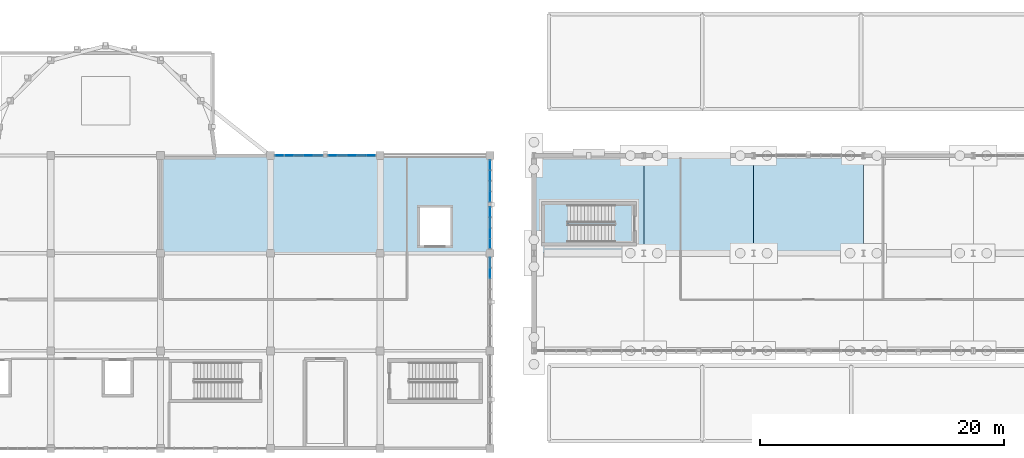
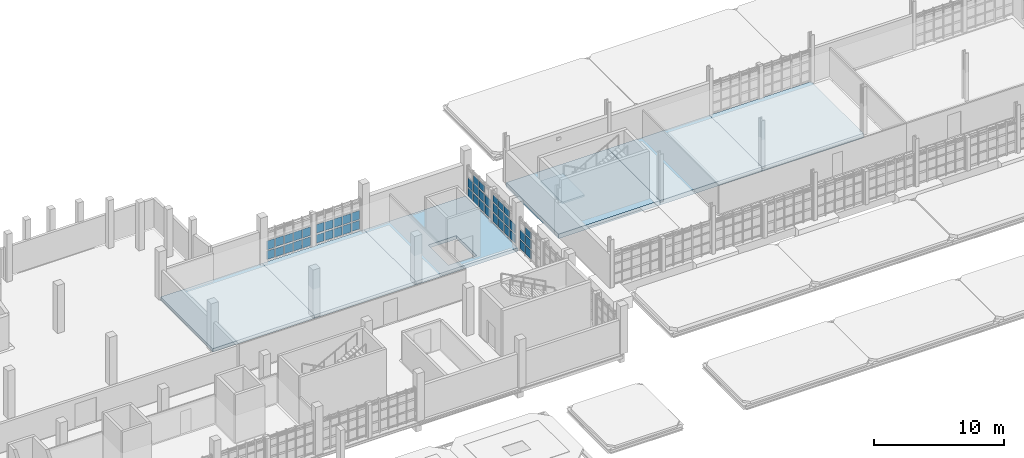
# One storey, part 86 of 125: 46 plates, 7 slabs, 6 elements without a shape of their own.
"""IFC4 building model written with IfcOpenShell, lengths in metres."""

from ifc_helpers import new_model, si_unit, direction, frame, origin, origin_2d, place, context, subcontext, project, spatial, polyline, rectangle, outline, extrude, material, layer, layer_set, type_object, element, aggregate, save


model = new_model("IFC4")

# Units and contexts
model_context = context("Model", 3, precision=1e-05, world=origin(), true_north=direction((0.0, 1.0)))
body_context = subcontext(model_context, "Body", "Model", "MODEL_VIEW")
ifc_project = project(units=[si_unit("LENGTHUNIT", "METRE"), si_unit("AREAUNIT", "SQUARE_METRE"), si_unit("VOLUMEUNIT", "CUBIC_METRE"), si_unit("PLANEANGLEUNIT", "RADIAN"), si_unit("MASSUNIT", "GRAM", prefix="KILO")], contexts=[model_context])

# Site, building, storey
site_placement = place(None, origin())
site = spatial("IfcSite", under=ifc_project, at=site_placement, CompositionType="ELEMENT")
building_placement = place(site_placement, origin())
building = spatial("IfcBuilding", under=site, at=building_placement, Name="Serraforn Aerial Cableway Station", CompositionType="ELEMENT")
storey_placement = place(building_placement, frame((0.0, 0.0, 4.5)))
storey = spatial("IfcBuildingStorey", under=building, at=storey_placement, Name="L01", CompositionType="ELEMENT", Elevation=4.5)

# Curtain wall, plate
ifc_material_1 = material(Name="Anodised bronze unitised curtain wall")
curtain_wall_type_1 = type_object("IfcCurtainWallType", Name="CW-SYS-27", PredefinedType="USERDEFINED", material=ifc_material_1)
curtain_wall_1_placement = place(storey_placement, origin())
curtain_wall_1 = element("IfcCurtainWall", 1, at=curtain_wall_1_placement, inside=storey, type_object=curtain_wall_type_1, Name="Unitised Curtain Wall CW-CV-L01-N6A", ObjectType="UNITISED CURTAIN WALL", PredefinedType="USERDEFINED")
ifc_material_2 = material(Name="Solar-control low-E double glazing", Category="glass")
ifc_layer_1 = layer(ifc_material_2, 0.02587890625)
ifc_layer_set_1 = layer_set([ifc_layer_1], Name="Solar-control low-E double glazing")
plate_type_1 = type_object("IfcPlateType", Name="CW-GLZ-1", PredefinedType="CURTAIN_PANEL", material=ifc_layer_set_1)
plate_1_placement = place(storey_placement, frame((77.698486328125, 42.0, 1.14111328125), z_axis=(0.0, 0.0, 1.0), x_axis=(1.0, 0.0, 0.0)))
plate_1 = element("IfcPlate", 2, at=plate_1_placement, type_object=plate_type_1, Name="Curtain Wall Panel CW-CV-L01-N6A-P5-2", PredefinedType="CURTAIN_PANEL", context=body_context, shape_type="SweptSolid", body=[
    extrude(rectangle(XDim=0.700927734375, YDim=0.02587890625, at=origin_2d()), origin(), (0.0, 0.0, 1.0), 0.802490234375),
])

# Curtain wall, plates
curtain_wall_type_2 = type_object("IfcCurtainWallType", Name="CW-SYS-28", PredefinedType="USERDEFINED", material=ifc_material_1)
curtain_wall_2_placement = place(storey_placement, origin())
curtain_wall_2 = element("IfcCurtainWall", 3, at=curtain_wall_2_placement, inside=storey, type_object=curtain_wall_type_2, Name="Unitised Curtain Wall CW-CV-L01-N6B", ObjectType="UNITISED CURTAIN WALL", PredefinedType="USERDEFINED")
plate_2_placement = place(storey_placement, frame((74.123291015625, 42.0, 1.14111328125), z_axis=(0.0, 0.0, 1.0), x_axis=(1.0, 0.0, 0.0)))
plate_2 = element("IfcPlate", 4, at=plate_2_placement, type_object=plate_type_1, Name="Curtain Wall Panel CW-CV-L01-N6B-P4-2", PredefinedType="CURTAIN_PANEL", context=body_context, shape_type="SweptSolid", body=[
    extrude(rectangle(XDim=0.73583984375, YDim=0.02587890625, at=origin_2d()), origin(), (0.0, 0.0, 1.0), 0.802490234375),
])
plate_3_placement = place(storey_placement, frame((73.3427734375, 42.0, 0.20556640625), z_axis=(0.0, 0.0, 1.0), x_axis=(1.0, 0.0, 0.0)))
plate_3 = element("IfcPlate", 5, at=plate_3_placement, type_object=plate_type_1, Name="Curtain Wall Panel CW-CV-L01-N6B-P5-1", PredefinedType="CURTAIN_PANEL", context=body_context, shape_type="SweptSolid", body=[
    extrude(rectangle(XDim=0.693359375, YDim=0.02587890625, at=origin_2d()), origin(), (0.0, 0.0, 1.0), 0.802490234375),
])
ifc_layer_2 = layer(ifc_material_2, 0.028076171875)
ifc_layer_set_2 = layer_set([ifc_layer_2], Name="Solar-control low-E double glazing")
plate_type_2 = type_object("IfcPlateType", Name="CW-GLZ-2", PredefinedType="CURTAIN_PANEL", material=ifc_layer_set_2)
plate_4_placement = place(storey_placement, frame((73.3427734375, 42.0, 1.11376953125), z_axis=(0.0, 0.0, 1.0), x_axis=(1.0, 0.0, 0.0)))
plate_4 = element("IfcPlate", 6, at=plate_4_placement, type_object=plate_type_2, Name="Curtain Wall Panel CW-CV-L01-N6B-P5-2", PredefinedType="CURTAIN_PANEL", context=body_context, shape_type="SweptSolid", body=[
    extrude(rectangle(XDim=0.693359375, YDim=0.028076171875, at=origin_2d()), origin(), (0.0, 0.0, 1.0), 0.824951171875),
])

# Curtain wall, plate
curtain_wall_type_3 = type_object("IfcCurtainWallType", Name="CW-SYS-5", PredefinedType="USERDEFINED", material=ifc_material_1)
curtain_wall_3_placement = place(storey_placement, origin())
curtain_wall_3 = element("IfcCurtainWall", 7, at=curtain_wall_3_placement, inside=storey, type_object=curtain_wall_type_3, Name="Unitised Curtain Wall CW-CV-L01-E3A", ObjectType="UNITISED CURTAIN WALL", PredefinedType="USERDEFINED")
plate_5_placement = place(storey_placement, frame((90.60009765625, 34.783935546875, 0.177734375), z_axis=(0.0, 0.0, 1.0), x_axis=(1.0, 0.0, 0.0)))
plate_5 = element("IfcPlate", 8, at=plate_5_placement, type_object=plate_type_2, Name="Curtain Wall Panel CW-CV-L01-E3A-P1-1", PredefinedType="CURTAIN_PANEL", context=body_context, shape_type="SweptSolid", body=[
    extrude(rectangle(XDim=0.028076171875, YDim=0.77587890625, at=origin_2d()), origin(), (0.0, 0.0, 1.0), 0.824951171875),
])

curtain_wall_type_4 = type_object("IfcCurtainWallType", Name="CW-SYS-4", PredefinedType="USERDEFINED", material=ifc_material_1)
curtain_wall_4_placement = place(storey_placement, origin())
curtain_wall_4 = element("IfcCurtainWall", 9, at=curtain_wall_4_placement, inside=storey, type_object=curtain_wall_type_4, Name="Unitised Curtain Wall CW-CV-L01-E2B", ObjectType="UNITISED CURTAIN WALL", PredefinedType="USERDEFINED")
ifc_layer_3 = layer(ifc_material_2, 0.030029296875)
ifc_layer_set_3 = layer_set([ifc_layer_3], Name="Solar-control low-E double glazing")
plate_type_3 = type_object("IfcPlateType", Name="CW-GLZ-3", PredefinedType="CURTAIN_PANEL", material=ifc_layer_set_3)
plate_6_placement = place(storey_placement, frame((90.60009765625, 32.364501953125, 0.182861328125), z_axis=(0.0, 0.0, 1.0), x_axis=(1.0, 0.0, 0.0)))
plate_6 = element("IfcPlate", 10, at=plate_6_placement, type_object=plate_type_3, Name="Curtain Wall Panel CW-CV-L01-E2B-P3-1", PredefinedType="CURTAIN_PANEL", context=body_context, shape_type="SweptSolid", body=[
    extrude(rectangle(XDim=0.030029296875, YDim=0.82080078125, at=origin_2d()), origin(), (0.0, 0.0, 1.0), 0.8125),
])

# Plate
plate_7_placement = place(storey_placement, frame((90.60009765625, 34.783935546875, 1.118896484375), z_axis=(0.0, 0.0, 1.0), x_axis=(1.0, 0.0, 0.0)))
plate_7 = element("IfcPlate", 11, at=plate_7_placement, type_object=plate_type_3, Name="Curtain Wall Panel CW-CV-L01-E3A-P1-2", PredefinedType="CURTAIN_PANEL", context=body_context, shape_type="SweptSolid", body=[
    extrude(rectangle(XDim=0.030029296875, YDim=0.77587890625, at=origin_2d()), origin(), (0.0, 0.0, 1.0), 0.8125),
])

plate_8_placement = place(storey_placement, frame((90.60009765625, 35.633056640625, 0.182861328125), z_axis=(0.0, 0.0, 1.0), x_axis=(1.0, 0.0, 0.0)))
plate_8 = element("IfcPlate", 12, at=plate_8_placement, type_object=plate_type_3, Name="Curtain Wall Panel CW-CV-L01-E3A-P2-1", PredefinedType="CURTAIN_PANEL", context=body_context, shape_type="SweptSolid", body=[
    extrude(rectangle(XDim=0.030029296875, YDim=0.82080078125, at=origin_2d()), origin(), (0.0, 0.0, 1.0), 0.8125),
])

# Curtain wall, plate
curtain_wall_type_5 = type_object("IfcCurtainWallType", Name="CW-SYS-6", PredefinedType="USERDEFINED", material=ifc_material_1)
curtain_wall_5_placement = place(storey_placement, origin())
curtain_wall_5 = element("IfcCurtainWall", 13, at=curtain_wall_5_placement, inside=storey, type_object=curtain_wall_type_5, Name="Unitised Curtain Wall CW-CV-L01-E3B", ObjectType="UNITISED CURTAIN WALL", PredefinedType="USERDEFINED")
plate_9_placement = place(storey_placement, frame((90.60009765625, 38.629638671875, 0.182861328125), z_axis=(0.0, 0.0, 1.0), x_axis=(1.0, 0.0, 0.0)))
plate_9 = element("IfcPlate", 14, at=plate_9_placement, type_object=plate_type_3, Name="Curtain Wall Panel CW-CV-L01-E3B-P1-1", PredefinedType="CURTAIN_PANEL", context=body_context, shape_type="SweptSolid", body=[
    extrude(rectangle(XDim=0.030029296875, YDim=0.793212890625, at=origin_2d()), origin(), (0.0, 0.0, 1.0), 0.8125),
])

# Plate
ifc_layer_4 = layer(ifc_material_2, 0.031982421875)
ifc_layer_set_4 = layer_set([ifc_layer_4], Name="Solar-control low-E double glazing")
plate_type_4 = type_object("IfcPlateType", Name="CW-GLZ-4", PredefinedType="CURTAIN_PANEL", material=ifc_layer_set_4)
plate_10_placement = place(storey_placement, frame((80.861083984375, 42.0, 0.20556640625), z_axis=(0.0, 0.0, 1.0), x_axis=(1.0, 0.0, 0.0)))
plate_10 = element("IfcPlate", 15, at=plate_10_placement, type_object=plate_type_4, Name="Curtain Wall Panel CW-CV-L01-N6A-P1-1", PredefinedType="CURTAIN_PANEL", context=body_context, shape_type="SweptSolid", body=[
    extrude(rectangle(XDim=0.69580078125, YDim=0.031982421875, at=origin_2d()), origin(), (0.0, 0.0, 1.0), 0.802490234375),
])

plate_11_placement = place(storey_placement, frame((90.60009765625, 32.364501953125, 1.12646484375), z_axis=(0.0, 0.0, 1.0), x_axis=(1.0, 0.0, 0.0)))
plate_11 = element("IfcPlate", 16, at=plate_11_placement, type_object=plate_type_4, Name="Curtain Wall Panel CW-CV-L01-E2B-P3-2", PredefinedType="CURTAIN_PANEL", context=body_context, shape_type="SweptSolid", body=[
    extrude(rectangle(XDim=0.031982421875, YDim=0.82080078125, at=origin_2d()), origin(), (0.0, 0.0, 1.0), 0.797607421875),
])

plate_12_placement = place(storey_placement, frame((90.60009765625, 33.222412109375, 0.1904296875), z_axis=(0.0, 0.0, 1.0), x_axis=(1.0, 0.0, 0.0)))
plate_12 = element("IfcPlate", 17, at=plate_12_placement, type_object=plate_type_4, Name="Curtain Wall Panel CW-CV-L01-E2B-P4-1", PredefinedType="CURTAIN_PANEL", context=body_context, shape_type="SweptSolid", body=[
    extrude(rectangle(XDim=0.031982421875, YDim=0.783203125, at=origin_2d()), origin(), (0.0, 0.0, 1.0), 0.797607421875),
])

plate_13_placement = place(storey_placement, frame((90.60009765625, 35.633056640625, 1.12646484375), z_axis=(0.0, 0.0, 1.0), x_axis=(1.0, 0.0, 0.0)))
plate_13 = element("IfcPlate", 18, at=plate_13_placement, type_object=plate_type_4, Name="Curtain Wall Panel CW-CV-L01-E3A-P2-2", PredefinedType="CURTAIN_PANEL", context=body_context, shape_type="SweptSolid", body=[
    extrude(rectangle(XDim=0.031982421875, YDim=0.82080078125, at=origin_2d()), origin(), (0.0, 0.0, 1.0), 0.797607421875),
])

plate_14_placement = place(storey_placement, frame((90.60009765625, 36.50732421875, 0.1904296875), z_axis=(0.0, 0.0, 1.0), x_axis=(1.0, 0.0, 0.0)))
plate_14 = element("IfcPlate", 19, at=plate_14_placement, type_object=plate_type_4, Name="Curtain Wall Panel CW-CV-L01-E3A-P3-1", PredefinedType="CURTAIN_PANEL", context=body_context, shape_type="SweptSolid", body=[
    extrude(rectangle(XDim=0.031982421875, YDim=0.815673828125, at=origin_2d()), origin(), (0.0, 0.0, 1.0), 0.797607421875),
])

plate_15_placement = place(storey_placement, frame((90.60009765625, 38.629638671875, 1.12646484375), z_axis=(0.0, 0.0, 1.0), x_axis=(1.0, 0.0, 0.0)))
plate_15 = element("IfcPlate", 20, at=plate_15_placement, type_object=plate_type_4, Name="Curtain Wall Panel CW-CV-L01-E3B-P1-2", PredefinedType="CURTAIN_PANEL", context=body_context, shape_type="SweptSolid", body=[
    extrude(rectangle(XDim=0.031982421875, YDim=0.793212890625, at=origin_2d()), origin(), (0.0, 0.0, 1.0), 0.797607421875),
])

plate_16_placement = place(storey_placement, frame((90.60009765625, 39.489990234375, 0.1904296875), z_axis=(0.0, 0.0, 1.0), x_axis=(1.0, 0.0, 0.0)))
plate_16 = element("IfcPlate", 21, at=plate_16_placement, type_object=plate_type_4, Name="Curtain Wall Panel CW-CV-L01-E3B-P2-1", PredefinedType="CURTAIN_PANEL", context=body_context, shape_type="SweptSolid", body=[
    extrude(rectangle(XDim=0.031982421875, YDim=0.815673828125, at=origin_2d()), origin(), (0.0, 0.0, 1.0), 0.797607421875),
])

ifc_layer_5 = layer(ifc_material_2, 0.033935546875)
ifc_layer_set_5 = layer_set([ifc_layer_5], Name="Solar-control low-E double glazing")
plate_type_5 = type_object("IfcPlateType", Name="CW-GLZ-5", PredefinedType="CURTAIN_PANEL", material=ifc_layer_set_5)
plate_17_placement = place(storey_placement, frame((80.861083984375, 42.0, 1.11376953125), z_axis=(0.0, 0.0, 1.0), x_axis=(1.0, 0.0, 0.0)))
plate_17 = element("IfcPlate", 22, at=plate_17_placement, type_object=plate_type_5, Name="Curtain Wall Panel CW-CV-L01-N6A-P1-2", PredefinedType="CURTAIN_PANEL", context=body_context, shape_type="SweptSolid", body=[
    extrude(rectangle(XDim=0.69580078125, YDim=0.033935546875, at=origin_2d()), origin(), (0.0, 0.0, 1.0), 0.824951171875),
])

plate_18_placement = place(storey_placement, frame((80.072998046875, 42.0, 0.177734375), z_axis=(0.0, 0.0, 1.0), x_axis=(1.0, 0.0, 0.0)))
plate_18 = element("IfcPlate", 23, at=plate_18_placement, type_object=plate_type_5, Name="Curtain Wall Panel CW-CV-L01-N6A-P2-1", PredefinedType="CURTAIN_PANEL", context=body_context, shape_type="SweptSolid", body=[
    extrude(rectangle(XDim=0.73828125, YDim=0.033935546875, at=origin_2d()), origin(), (0.0, 0.0, 1.0), 0.824951171875),
])

plate_19_placement = place(storey_placement, frame((76.49658203125, 42.0, 0.177734375), z_axis=(0.0, 0.0, 1.0), x_axis=(1.0, 0.0, 0.0)))
plate_19 = element("IfcPlate", 24, at=plate_19_placement, type_object=plate_type_5, Name="Curtain Wall Panel CW-CV-L01-N6B-P1-1", PredefinedType="CURTAIN_PANEL", context=body_context, shape_type="SweptSolid", body=[
    extrude(rectangle(XDim=0.700927734375, YDim=0.033935546875, at=origin_2d()), origin(), (0.0, 0.0, 1.0), 0.824951171875),
])

plate_20_placement = place(storey_placement, frame((90.60009765625, 32.364501953125, 2.06982421875), z_axis=(0.0, 0.0, 1.0), x_axis=(1.0, 0.0, 0.0)))
plate_20 = element("IfcPlate", 25, at=plate_20_placement, type_object=plate_type_5, Name="Curtain Wall Panel CW-CV-L01-E2B-P3-3", PredefinedType="CURTAIN_PANEL", context=body_context, shape_type="SweptSolid", body=[
    extrude(rectangle(XDim=0.033935546875, YDim=0.82080078125, at=origin_2d()), origin(), (0.0, 0.0, 1.0), 0.59521484375),
])

plate_21_placement = place(storey_placement, frame((90.60009765625, 33.222412109375, 1.1337890625), z_axis=(0.0, 0.0, 1.0), x_axis=(1.0, 0.0, 0.0)))
plate_21 = element("IfcPlate", 26, at=plate_21_placement, type_object=plate_type_5, Name="Curtain Wall Panel CW-CV-L01-E2B-P4-2", PredefinedType="CURTAIN_PANEL", context=body_context, shape_type="SweptSolid", body=[
    extrude(rectangle(XDim=0.033935546875, YDim=0.783203125, at=origin_2d()), origin(), (0.0, 0.0, 1.0), 0.782470703125),
])

aggregate(curtain_wall_4, [plate_6, plate_11, plate_20, plate_12, plate_21])

plate_22_placement = place(storey_placement, frame((90.60009765625, 35.633056640625, 2.06982421875), z_axis=(0.0, 0.0, 1.0), x_axis=(1.0, 0.0, 0.0)))
plate_22 = element("IfcPlate", 27, at=plate_22_placement, type_object=plate_type_5, Name="Curtain Wall Panel CW-CV-L01-E3A-P2-3", PredefinedType="CURTAIN_PANEL", context=body_context, shape_type="SweptSolid", body=[
    extrude(rectangle(XDim=0.033935546875, YDim=0.82080078125, at=origin_2d()), origin(), (0.0, 0.0, 1.0), 0.59521484375),
])

plate_23_placement = place(storey_placement, frame((90.60009765625, 36.50732421875, 1.1337890625), z_axis=(0.0, 0.0, 1.0), x_axis=(1.0, 0.0, 0.0)))
plate_23 = element("IfcPlate", 28, at=plate_23_placement, type_object=plate_type_5, Name="Curtain Wall Panel CW-CV-L01-E3A-P3-2", PredefinedType="CURTAIN_PANEL", context=body_context, shape_type="SweptSolid", body=[
    extrude(rectangle(XDim=0.033935546875, YDim=0.815673828125, at=origin_2d()), origin(), (0.0, 0.0, 1.0), 0.782470703125),
])

plate_24_placement = place(storey_placement, frame((90.60009765625, 37.364013671875, 0.19775390625), z_axis=(0.0, 0.0, 1.0), x_axis=(1.0, 0.0, 0.0)))
plate_24 = element("IfcPlate", 29, at=plate_24_placement, type_object=plate_type_5, Name="Curtain Wall Panel CW-CV-L01-E3A-P4-1", PredefinedType="CURTAIN_PANEL", context=body_context, shape_type="SweptSolid", body=[
    extrude(rectangle(XDim=0.033935546875, YDim=0.775634765625, at=origin_2d()), origin(), (0.0, 0.0, 1.0), 0.782470703125),
])

plate_25_placement = place(storey_placement, frame((90.60009765625, 39.489990234375, 1.1337890625), z_axis=(0.0, 0.0, 1.0), x_axis=(1.0, 0.0, 0.0)))
plate_25 = element("IfcPlate", 30, at=plate_25_placement, type_object=plate_type_5, Name="Curtain Wall Panel CW-CV-L01-E3B-P2-2", PredefinedType="CURTAIN_PANEL", context=body_context, shape_type="SweptSolid", body=[
    extrude(rectangle(XDim=0.033935546875, YDim=0.815673828125, at=origin_2d()), origin(), (0.0, 0.0, 1.0), 0.782470703125),
])

plate_26_placement = place(storey_placement, frame((90.60009765625, 40.364501953125, 0.19775390625), z_axis=(0.0, 0.0, 1.0), x_axis=(1.0, 0.0, 0.0)))
plate_26 = element("IfcPlate", 31, at=plate_26_placement, type_object=plate_type_5, Name="Curtain Wall Panel CW-CV-L01-E3B-P3-1", PredefinedType="CURTAIN_PANEL", context=body_context, shape_type="SweptSolid", body=[
    extrude(rectangle(XDim=0.033935546875, YDim=0.810791015625, at=origin_2d()), origin(), (0.0, 0.0, 1.0), 0.782470703125),
])

ifc_layer_6 = layer(ifc_material_2, 0.035888671875)
ifc_layer_set_6 = layer_set([ifc_layer_6], Name="Solar-control low-E double glazing")
plate_type_6 = type_object("IfcPlateType", Name="CW-GLZ-6", PredefinedType="CURTAIN_PANEL", material=ifc_layer_set_6)
plate_27_placement = place(storey_placement, frame((80.072998046875, 42.0, 1.118896484375), z_axis=(0.0, 0.0, 1.0), x_axis=(1.0, 0.0, 0.0)))
plate_27 = element("IfcPlate", 32, at=plate_27_placement, type_object=plate_type_6, Name="Curtain Wall Panel CW-CV-L01-N6A-P2-2", PredefinedType="CURTAIN_PANEL", context=body_context, shape_type="SweptSolid", body=[
    extrude(rectangle(XDim=0.73828125, YDim=0.035888671875, at=origin_2d()), origin(), (0.0, 0.0, 1.0), 0.8125),
])

plate_28_placement = place(storey_placement, frame((79.27978515625, 42.0, 0.182861328125), z_axis=(0.0, 0.0, 1.0), x_axis=(1.0, 0.0, 0.0)))
plate_28 = element("IfcPlate", 33, at=plate_28_placement, type_object=plate_type_6, Name="Curtain Wall Panel CW-CV-L01-N6A-P3-1", PredefinedType="CURTAIN_PANEL", context=body_context, shape_type="SweptSolid", body=[
    extrude(rectangle(XDim=0.745849609375, YDim=0.035888671875, at=origin_2d()), origin(), (0.0, 0.0, 1.0), 0.8125),
])

plate_29_placement = place(storey_placement, frame((76.49658203125, 42.0, 1.118896484375), z_axis=(0.0, 0.0, 1.0), x_axis=(1.0, 0.0, 0.0)))
plate_29 = element("IfcPlate", 34, at=plate_29_placement, type_object=plate_type_6, Name="Curtain Wall Panel CW-CV-L01-N6B-P1-2", PredefinedType="CURTAIN_PANEL", context=body_context, shape_type="SweptSolid", body=[
    extrude(rectangle(XDim=0.700927734375, YDim=0.035888671875, at=origin_2d()), origin(), (0.0, 0.0, 1.0), 0.8125),
])

plate_30_placement = place(storey_placement, frame((75.72216796875, 42.0, 0.182861328125), z_axis=(0.0, 0.0, 1.0), x_axis=(1.0, 0.0, 0.0)))
plate_30 = element("IfcPlate", 35, at=plate_30_placement, type_object=plate_type_6, Name="Curtain Wall Panel CW-CV-L01-N6B-P2-1", PredefinedType="CURTAIN_PANEL", context=body_context, shape_type="SweptSolid", body=[
    extrude(rectangle(XDim=0.745849609375, YDim=0.035888671875, at=origin_2d()), origin(), (0.0, 0.0, 1.0), 0.8125),
])

plate_31_placement = place(storey_placement, frame((90.60009765625, 36.50732421875, 2.077392578125), z_axis=(0.0, 0.0, 1.0), x_axis=(1.0, 0.0, 0.0)))
plate_31 = element("IfcPlate", 36, at=plate_31_placement, type_object=plate_type_6, Name="Curtain Wall Panel CW-CV-L01-E3A-P3-3", PredefinedType="CURTAIN_PANEL", context=body_context, shape_type="SweptSolid", body=[
    extrude(rectangle(XDim=0.035888671875, YDim=0.815673828125, at=origin_2d()), origin(), (0.0, 0.0, 1.0), 0.615234375),
])

plate_32_placement = place(storey_placement, frame((90.60009765625, 37.364013671875, 1.14111328125), z_axis=(0.0, 0.0, 1.0), x_axis=(1.0, 0.0, 0.0)))
plate_32 = element("IfcPlate", 37, at=plate_32_placement, type_object=plate_type_6, Name="Curtain Wall Panel CW-CV-L01-E3A-P4-2", PredefinedType="CURTAIN_PANEL", context=body_context, shape_type="SweptSolid", body=[
    extrude(rectangle(XDim=0.035888671875, YDim=0.775634765625, at=origin_2d()), origin(), (0.0, 0.0, 1.0), 0.802490234375),
])

plate_33_placement = place(storey_placement, frame((90.60009765625, 39.489990234375, 2.077392578125), z_axis=(0.0, 0.0, 1.0), x_axis=(1.0, 0.0, 0.0)))
plate_33 = element("IfcPlate", 38, at=plate_33_placement, type_object=plate_type_6, Name="Curtain Wall Panel CW-CV-L01-E3B-P2-3", PredefinedType="CURTAIN_PANEL", context=body_context, shape_type="SweptSolid", body=[
    extrude(rectangle(XDim=0.035888671875, YDim=0.815673828125, at=origin_2d()), origin(), (0.0, 0.0, 1.0), 0.615234375),
])

plate_34_placement = place(storey_placement, frame((90.60009765625, 40.364501953125, 1.14111328125), z_axis=(0.0, 0.0, 1.0), x_axis=(1.0, 0.0, 0.0)))
plate_34 = element("IfcPlate", 39, at=plate_34_placement, type_object=plate_type_6, Name="Curtain Wall Panel CW-CV-L01-E3B-P3-2", PredefinedType="CURTAIN_PANEL", context=body_context, shape_type="SweptSolid", body=[
    extrude(rectangle(XDim=0.035888671875, YDim=0.810791015625, at=origin_2d()), origin(), (0.0, 0.0, 1.0), 0.802490234375),
])

plate_35_placement = place(storey_placement, frame((90.60009765625, 41.219970703125, 0.20556640625), z_axis=(0.0, 0.0, 1.0), x_axis=(1.0, 0.0, 0.0)))
plate_35 = element("IfcPlate", 40, at=plate_35_placement, type_object=plate_type_6, Name="Curtain Wall Panel CW-CV-L01-E3B-P4-1", PredefinedType="CURTAIN_PANEL", context=body_context, shape_type="SweptSolid", body=[
    extrude(rectangle(XDim=0.035888671875, YDim=0.768310546875, at=origin_2d()), origin(), (0.0, 0.0, 1.0), 0.802490234375),
])

ifc_layer_7 = layer(ifc_material_2, 0.029052734375)
ifc_layer_set_7 = layer_set([ifc_layer_7], Name="Solar-control low-E double glazing")
plate_type_7 = type_object("IfcPlateType", Name="CW-GLZ-7", PredefinedType="CURTAIN_PANEL", material=ifc_layer_set_7)
plate_36_placement = place(storey_placement, frame((79.27978515625, 42.0, 1.12646484375), z_axis=(0.0, 0.0, 1.0), x_axis=(1.0, 0.0, 0.0)))
plate_36 = element("IfcPlate", 41, at=plate_36_placement, type_object=plate_type_7, Name="Curtain Wall Panel CW-CV-L01-N6A-P3-2", PredefinedType="CURTAIN_PANEL", context=body_context, shape_type="SweptSolid", body=[
    extrude(rectangle(XDim=0.745849609375, YDim=0.029052734375, at=origin_2d()), origin(), (0.0, 0.0, 1.0), 0.797607421875),
])

plate_37_placement = place(storey_placement, frame((78.48046875, 42.0, 0.1904296875), z_axis=(0.0, 0.0, 1.0), x_axis=(1.0, 0.0, 0.0)))
plate_37 = element("IfcPlate", 42, at=plate_37_placement, type_object=plate_type_7, Name="Curtain Wall Panel CW-CV-L01-N6A-P4-1", PredefinedType="CURTAIN_PANEL", context=body_context, shape_type="SweptSolid", body=[
    extrude(rectangle(XDim=0.740966796875, YDim=0.029052734375, at=origin_2d()), origin(), (0.0, 0.0, 1.0), 0.797607421875),
])

plate_38_placement = place(storey_placement, frame((75.72216796875, 42.0, 1.12646484375), z_axis=(0.0, 0.0, 1.0), x_axis=(1.0, 0.0, 0.0)))
plate_38 = element("IfcPlate", 43, at=plate_38_placement, type_object=plate_type_7, Name="Curtain Wall Panel CW-CV-L01-N6B-P2-2", PredefinedType="CURTAIN_PANEL", context=body_context, shape_type="SweptSolid", body=[
    extrude(rectangle(XDim=0.745849609375, YDim=0.029052734375, at=origin_2d()), origin(), (0.0, 0.0, 1.0), 0.797607421875),
])

plate_39_placement = place(storey_placement, frame((74.9228515625, 42.0, 0.1904296875), z_axis=(0.0, 0.0, 1.0), x_axis=(1.0, 0.0, 0.0)))
plate_39 = element("IfcPlate", 44, at=plate_39_placement, type_object=plate_type_7, Name="Curtain Wall Panel CW-CV-L01-N6B-P3-1", PredefinedType="CURTAIN_PANEL", context=body_context, shape_type="SweptSolid", body=[
    extrude(rectangle(XDim=0.740966796875, YDim=0.029052734375, at=origin_2d()), origin(), (0.0, 0.0, 1.0), 0.797607421875),
])

plate_40_placement = place(storey_placement, frame((90.60009765625, 37.364013671875, 2.0498046875), z_axis=(0.0, 0.0, 1.0), x_axis=(1.0, 0.0, 0.0)))
plate_40 = element("IfcPlate", 45, at=plate_40_placement, type_object=plate_type_7, Name="Curtain Wall Panel CW-CV-L01-E3A-P4-3", PredefinedType="CURTAIN_PANEL", context=body_context, shape_type="SweptSolid", body=[
    extrude(rectangle(XDim=0.029052734375, YDim=0.775634765625, at=origin_2d()), origin(), (0.0, 0.0, 1.0), 0.6376953125),
])

aggregate(curtain_wall_3, [plate_5, plate_7, plate_8, plate_13, plate_22, plate_14, plate_23, plate_31, plate_24, plate_32, plate_40])

plate_41_placement = place(storey_placement, frame((90.60009765625, 40.364501953125, 2.0498046875), z_axis=(0.0, 0.0, 1.0), x_axis=(1.0, 0.0, 0.0)))
plate_41 = element("IfcPlate", 46, at=plate_41_placement, type_object=plate_type_7, Name="Curtain Wall Panel CW-CV-L01-E3B-P3-3", PredefinedType="CURTAIN_PANEL", context=body_context, shape_type="SweptSolid", body=[
    extrude(rectangle(XDim=0.029052734375, YDim=0.810791015625, at=origin_2d()), origin(), (0.0, 0.0, 1.0), 0.6376953125),
])

plate_42_placement = place(storey_placement, frame((90.60009765625, 41.219970703125, 1.11376953125), z_axis=(0.0, 0.0, 1.0), x_axis=(1.0, 0.0, 0.0)))
plate_42 = element("IfcPlate", 47, at=plate_42_placement, type_object=plate_type_7, Name="Curtain Wall Panel CW-CV-L01-E3B-P4-2", PredefinedType="CURTAIN_PANEL", context=body_context, shape_type="SweptSolid", body=[
    extrude(rectangle(XDim=0.029052734375, YDim=0.768310546875, at=origin_2d()), origin(), (0.0, 0.0, 1.0), 0.824951171875),
])

aggregate(curtain_wall_5, [plate_9, plate_15, plate_16, plate_25, plate_33, plate_26, plate_34, plate_41, plate_35, plate_42])

ifc_layer_8 = layer(ifc_material_2, 0.031005859375)
ifc_layer_set_8 = layer_set([ifc_layer_8], Name="Solar-control low-E double glazing")
plate_type_8 = type_object("IfcPlateType", Name="CW-GLZ-8", PredefinedType="CURTAIN_PANEL", material=ifc_layer_set_8)
plate_43_placement = place(storey_placement, frame((78.48046875, 42.0, 1.1337890625), z_axis=(0.0, 0.0, 1.0), x_axis=(1.0, 0.0, 0.0)))
plate_43 = element("IfcPlate", 48, at=plate_43_placement, type_object=plate_type_8, Name="Curtain Wall Panel CW-CV-L01-N6A-P4-2", PredefinedType="CURTAIN_PANEL", context=body_context, shape_type="SweptSolid", body=[
    extrude(rectangle(XDim=0.740966796875, YDim=0.031005859375, at=origin_2d()), origin(), (0.0, 0.0, 1.0), 0.782470703125),
])

plate_44_placement = place(storey_placement, frame((77.698486328125, 42.0, 0.19775390625), z_axis=(0.0, 0.0, 1.0), x_axis=(1.0, 0.0, 0.0)))
plate_44 = element("IfcPlate", 49, at=plate_44_placement, type_object=plate_type_8, Name="Curtain Wall Panel CW-CV-L01-N6A-P5-1", PredefinedType="CURTAIN_PANEL", context=body_context, shape_type="SweptSolid", body=[
    extrude(rectangle(XDim=0.700927734375, YDim=0.031005859375, at=origin_2d()), origin(), (0.0, 0.0, 1.0), 0.782470703125),
])

aggregate(curtain_wall_1, [plate_10, plate_17, plate_18, plate_27, plate_28, plate_36, plate_37, plate_43, plate_44, plate_1])

plate_45_placement = place(storey_placement, frame((74.9228515625, 42.0, 1.1337890625), z_axis=(0.0, 0.0, 1.0), x_axis=(1.0, 0.0, 0.0)))
plate_45 = element("IfcPlate", 50, at=plate_45_placement, type_object=plate_type_8, Name="Curtain Wall Panel CW-CV-L01-N6B-P3-2", PredefinedType="CURTAIN_PANEL", context=body_context, shape_type="SweptSolid", body=[
    extrude(rectangle(XDim=0.740966796875, YDim=0.031005859375, at=origin_2d()), origin(), (0.0, 0.0, 1.0), 0.782470703125),
])

plate_46_placement = place(storey_placement, frame((74.123291015625, 42.0, 0.19775390625), z_axis=(0.0, 0.0, 1.0), x_axis=(1.0, 0.0, 0.0)))
plate_46 = element("IfcPlate", 51, at=plate_46_placement, type_object=plate_type_8, Name="Curtain Wall Panel CW-CV-L01-N6B-P4-1", PredefinedType="CURTAIN_PANEL", context=body_context, shape_type="SweptSolid", body=[
    extrude(rectangle(XDim=0.73583984375, YDim=0.031005859375, at=origin_2d()), origin(), (0.0, 0.0, 1.0), 0.782470703125),
])

aggregate(curtain_wall_2, [plate_19, plate_29, plate_30, plate_38, plate_39, plate_45, plate_46, plate_2, plate_3, plate_4])

# Slabs
ifc_material_3 = material(Name="Concrete C35/45", Category="concrete")
ifc_layer_9 = layer(ifc_material_3, 0.419921875)
ifc_layer_set_9 = layer_set([ifc_layer_9], Name="Concrete C35/45")
slab_type_1 = type_object("IfcSlabType", Name="SLB-BASE-420", PredefinedType="BASESLAB", material=ifc_layer_set_9)
slab_1_placement = place(storey_placement, frame((0.0, 0.0, -0.419921875)))
element("IfcSlab", 52, at=slab_1_placement, inside=storey, type_object=slab_type_1, Name="Floor Slab EL-L01-1-2", PredefinedType="BASESLAB", context=body_context, shape_type="SweptSolid", body=[
    extrude(outline(polyline([(94.199951171875, 34.0), (103.199951171875, 34.0), (103.199951171875, 42.0), (94.199951171875, 42.0), (94.199951171875, 34.0)])), origin(), (0.0, 0.0, 1.0), 0.419921875),
])
slab_2_placement = place(storey_placement, frame((0.0, 0.0, -0.419921875)))
element("IfcSlab", 53, at=slab_2_placement, inside=storey, type_object=slab_type_1, Name="Floor Slab EL-L01-2-2", PredefinedType="BASESLAB", context=body_context, shape_type="SweptSolid", body=[
    extrude(outline(polyline([(103.199951171875, 34.0), (112.199951171875, 34.0), (112.199951171875, 42.0), (103.199951171875, 42.0), (103.199951171875, 34.0)])), origin(), (0.0, 0.0, 1.0), 0.419921875),
])
slab_3_placement = place(storey_placement, frame((0.0, 0.0, -0.419921875)))
element("IfcSlab", 54, at=slab_3_placement, inside=storey, type_object=slab_type_1, Name="Floor Slab EL-L01-3-2", PredefinedType="BASESLAB", context=body_context, shape_type="SweptSolid", body=[
    extrude(outline(polyline([(112.199951171875, 34.0), (121.199951171875, 34.0), (121.199951171875, 42.0), (112.199951171875, 42.0), (112.199951171875, 34.0)])), origin(), (0.0, 0.0, 1.0), 0.419921875),
])
ifc_layer_10 = layer(ifc_material_3, 0.31494140625)
ifc_layer_set_10 = layer_set([ifc_layer_10], Name="Concrete C35/45")
slab_type_2 = type_object("IfcSlabType", Name="SLB-FLR-315", PredefinedType="FLOOR", material=ifc_layer_set_10)
slab_4_placement = place(storey_placement, frame((0.0, 0.0, -0.31494140625)))
element("IfcSlab", 55, at=slab_4_placement, inside=storey, type_object=slab_type_2, Name="Floor Slab CV-L01-5-3", PredefinedType="FLOOR", context=body_context, shape_type="SweptSolid", body=[
    extrude(outline(polyline([(63.60009765625, 34.0), (72.60009765625, 34.0), (72.60009765625, 42.0), (63.60009765625, 42.0), (63.60009765625, 34.0)])), origin(), (0.0, 0.0, 1.0), 0.31494140625),
])
slab_5_placement = place(storey_placement, frame((0.0, 0.0, -0.31494140625)))
element("IfcSlab", 56, at=slab_5_placement, inside=storey, type_object=slab_type_2, Name="Floor Slab CV-L01-6-3", PredefinedType="FLOOR", context=body_context, shape_type="SweptSolid", body=[
    extrude(outline(polyline([(72.60009765625, 34.0), (81.60009765625, 34.0), (81.60009765625, 42.0), (72.60009765625, 42.0), (72.60009765625, 34.0)])), origin(), (0.0, 0.0, 1.0), 0.31494140625),
])
slab_6_placement = place(storey_placement, frame((0.0, 0.0, -0.31494140625)))
element("IfcSlab", 57, at=slab_6_placement, inside=storey, type_object=slab_type_2, Name="Floor Slab CV-L01-7-3", PredefinedType="FLOOR", context=body_context, shape_type="SweptSolid", body=[
    extrude(outline(polyline([(81.60009765625, 34.0), (90.60009765625, 34.0), (90.60009765625, 42.0), (81.60009765625, 42.0), (81.60009765625, 34.0)]), holes=[polyline([(84.85009765625, 34.64990234375), (87.35009765625, 34.64990234375), (87.35009765625, 37.75), (84.85009765625, 37.75), (84.85009765625, 34.64990234375)])]), origin(), (0.0, 0.0, 1.0), 0.31494140625),
])

# Stair, slab
stair_type = type_object("IfcStairType", Name="STR-DL-1", PredefinedType="HALF_TURN_STAIR", material=ifc_material_3)
stair_placement = place(storey_placement, origin())
stair = element("IfcStair", 58, at=stair_placement, inside=storey, type_object=stair_type, Name="L01 Hillside Passage West Stair 8", PredefinedType="HALF_TURN_STAIR")
ifc_layer_11 = layer(ifc_material_3, 0.159912109375)
ifc_layer_set_11 = layer_set([ifc_layer_11], Name="Concrete C35/45")
slab_type_3 = type_object("IfcSlabType", Name="SLB-LND-160", PredefinedType="LANDING", material=ifc_layer_set_11)
slab_7_placement = place(storey_placement, frame((0.0, 0.0, 2.090087890625)))
slab_7 = element("IfcSlab", 59, at=slab_7_placement, type_object=slab_type_3, Name="ST-08 landing 1", PredefinedType="LANDING", context=body_context, shape_type="SweptSolid", body=[
    extrude(outline(polyline([(96.97998046875, 38.080078125), (94.97998046875, 38.080078125), (94.97998046875, 34.780029296875), (96.97998046875, 34.780029296875), (96.97998046875, 38.080078125)])), origin(), (0.0, 0.0, 1.0), 0.159912109375),
])
aggregate(stair, [slab_7])

save(model, "model.ifc")
